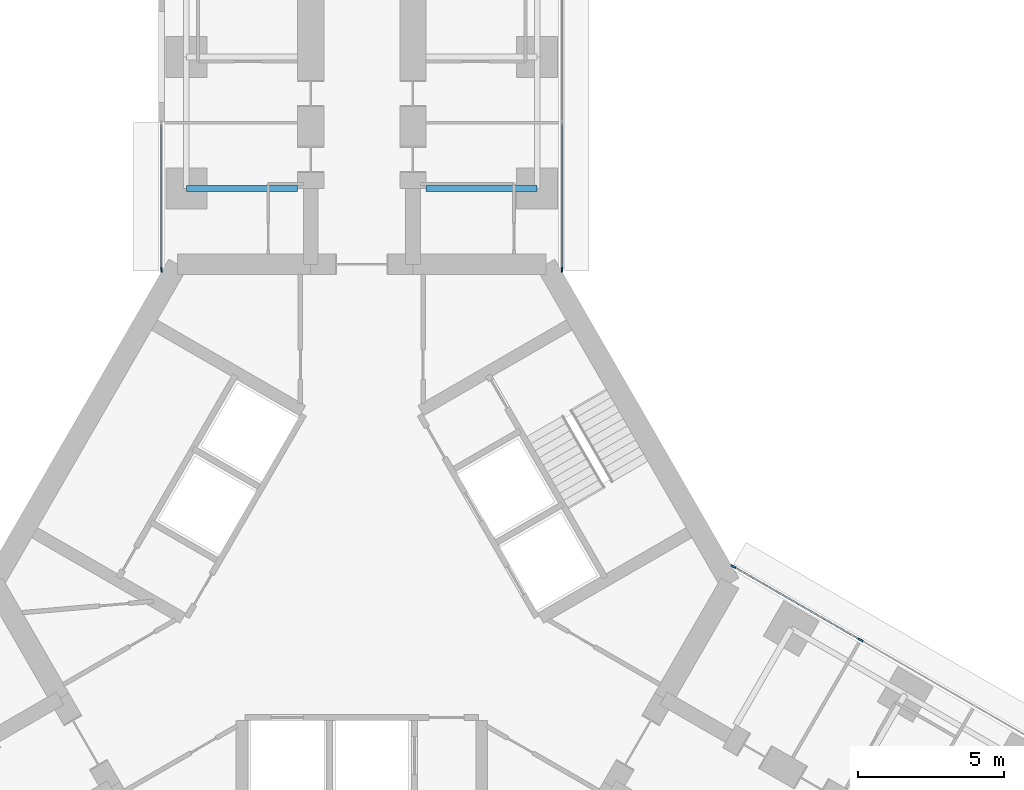
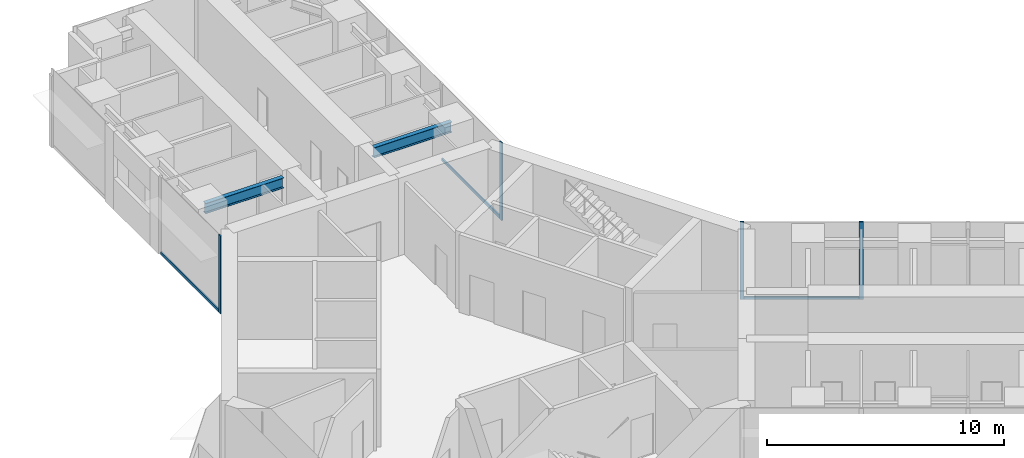
# One storey, part 11 of 25: 7 members, 2 beams, 3 elements without a shape of their own.
"""IFC4 building model written with IfcOpenShell, lengths in metres."""

from ifc_helpers import new_model, si_unit, direction, frame, origin, origin_2d, place, context, subcontext, project, spatial, rectangle, i_section, extrude, material, material_profile, profile_set, type_object, element, aggregate, save


model = new_model("IFC4")

# Units and contexts
model_context = context("Model", 3, precision=1e-05, world=origin(), true_north=direction((0.0, 1.0)))
body_context = subcontext(model_context, "Body", "Model", "MODEL_VIEW")
ifc_project = project(units=[si_unit("LENGTHUNIT", "METRE"), si_unit("AREAUNIT", "SQUARE_METRE"), si_unit("VOLUMEUNIT", "CUBIC_METRE"), si_unit("PLANEANGLEUNIT", "RADIAN"), si_unit("MASSUNIT", "GRAM", prefix="KILO")], contexts=[model_context])

# Site, building, storey
site_placement = place(None, origin())
site = spatial("IfcSite", under=ifc_project, at=site_placement, CompositionType="ELEMENT")
building_placement = place(site_placement, origin())
building = spatial("IfcBuilding", under=site, at=building_placement, Name="Upepo Twin Towers", CompositionType="ELEMENT")
storey_placement = place(building_placement, frame((0.0, 0.0, 88.5)))
storey = spatial("IfcBuildingStorey", under=building, at=storey_placement, Name="L21", CompositionType="ELEMENT", Elevation=88.5)

# Beams
ifc_material_1 = material(Name="Steel S355", Category="steel")
ifc_material_profile_1 = material_profile(ifc_material_1, i_section(OverallWidth=0.209228515625, OverallDepth=0.533203125, WebThickness=0.010009765625, FlangeThickness=0.015625, FilletRadius=0.0126953125, at=origin_2d()), Name="UB 533x210x92")
ifc_profile_set_1 = profile_set([ifc_material_profile_1], Name="Steel S355")
beam_type = type_object("IfcBeamType", Name="Beam UB 533x210x92", PredefinedType="BEAM", material=ifc_profile_set_1)
for number, where, z_axis, x_axis, name in (
    (1, (52.5, -4.5, 3.433349609375), (1.0, 0.0, 0.0), (0.0, 1.0, 0.0), "T2 girder AL at 13.5"),
    (2, (64.5, -4.5, 3.433349609375), (-1.0, 0.0, 0.0), (0.0, -1.0, 0.0), "T2 girder AR at 13.5"),
):
    element("IfcBeam", number, at=place(storey_placement, frame(where, z_axis=z_axis, x_axis=x_axis)), inside=storey, type_object=beam_type, Name=name, PredefinedType="BEAM", context=body_context, shape_type="SweptSolid", body=[
        extrude(i_section(OverallWidth=0.209228515625, OverallDepth=0.533203125, WebThickness=0.010009765625, FlangeThickness=0.015625, FilletRadius=0.0126953125, at=origin_2d()), origin(), (0.0, 0.0, 1.0), 3.800048828125),
    ])

# Curtain wall, member
ifc_material_2 = material(Name="Aluminium and fritted glass", Category="aluminium")
curtain_wall_type = type_object("IfcCurtainWallType", Name="Tower curtain wall TW1, fritted glass", PredefinedType="NOTDEFINED", material=ifc_material_2)
curtain_wall_1_placement = place(storey_placement, origin())
curtain_wall_1 = element("IfcCurtainWall", 3, at=curtain_wall_1_placement, inside=storey, type_object=curtain_wall_type, Name="T2 L21 wing A flank L curtain wall", PredefinedType="NOTDEFINED")
ifc_material_3 = material(Name="Aluminium mullion", Category="aluminium")
ifc_material_profile_2 = material_profile(ifc_material_3, rectangle(XDim=0.06494140625, YDim=0.179931640625, at=origin_2d()), Name="MULLION 65x180")
ifc_profile_set_2 = profile_set([ifc_material_profile_2], Name="Aluminium mullion")
member_type_1 = type_object("IfcMemberType", Name="Mullion 65x180 TW1", PredefinedType="MULLION", material=ifc_profile_set_2)
member_1_placement = place(storey_placement, frame((51.64990234375, -7.2802734375, 0.0), z_axis=(0.0, 0.0, 1.0), x_axis=(-1.0, 0.0, 0.0)))
member_1 = element("IfcMember", 4, at=member_1_placement, type_object=member_type_1, Name="T2 L21 wing A flank L curtain wall mullion 1", PredefinedType="MULLION", context=body_context, shape_type="SweptSolid", body=[
    extrude(rectangle(XDim=0.06494140625, YDim=0.179931640625, at=origin_2d()), origin(), (0.0, 0.0, 1.0), 4.0),
])

curtain_wall_2_placement = place(storey_placement, origin())
curtain_wall_2 = element("IfcCurtainWall", 5, at=curtain_wall_2_placement, inside=storey, type_object=curtain_wall_type, Name="T2 L21 wing A flank R curtain wall", PredefinedType="NOTDEFINED")
member_2_placement = place(storey_placement, frame((65.35009765625, -7.2802734375, 0.0), z_axis=(0.0, 0.0, 1.0), x_axis=(1.0, 0.0, 0.0)))
member_2 = element("IfcMember", 6, at=member_2_placement, type_object=member_type_1, Name="T2 L21 wing A flank R curtain wall mullion 4", PredefinedType="MULLION", context=body_context, shape_type="SweptSolid", body=[
    extrude(rectangle(XDim=0.06494140625, YDim=0.179931640625, at=origin_2d()), origin(), (0.0, 0.0, 1.0), 4.0),
])

# Curtain wall, members
curtain_wall_3_placement = place(storey_placement, origin())
curtain_wall_3 = element("IfcCurtainWall", 7, at=curtain_wall_3_placement, inside=storey, type_object=curtain_wall_type, Name="T2 L21 wing C flank L curtain wall", PredefinedType="NOTDEFINED")
member_3_placement = place(storey_placement, frame((71.20849609375, -17.427490234375, 0.0), z_axis=(0.0, 0.0, 1.0), x_axis=(0.500000024426, 0.866025389682, 0.0)))
member_3 = element("IfcMember", 8, at=member_3_placement, type_object=member_type_1, Name="T2 L21 wing C flank L curtain wall mullion 1", PredefinedType="MULLION", context=body_context, shape_type="SweptSolid", body=[
    extrude(rectangle(XDim=0.06494140625, YDim=0.179931640625, at=origin_2d()), origin(), (0.0, 0.0, 1.0), 4.0),
])
member_4_placement = place(storey_placement, frame((75.56494140625, -19.942626953125, 0.0), z_axis=(0.0, 0.0, 1.0), x_axis=(0.500000024426, 0.866025389682, 0.0)))
member_4 = element("IfcMember", 9, at=member_4_placement, type_object=member_type_1, Name="T2 L21 wing C flank L curtain wall mullion 2", PredefinedType="MULLION", context=body_context, shape_type="SweptSolid", body=[
    extrude(rectangle(XDim=0.06494140625, YDim=0.179931640625, at=origin_2d()), origin(), (0.0, 0.0, 1.0), 4.0),
])

# Member
ifc_material_4 = material(Name="Aluminium transom", Category="aluminium")
ifc_material_profile_3 = material_profile(ifc_material_4, rectangle(XDim=0.06494140625, YDim=0.14990234375, at=origin_2d()), Name="TRANSOM 65x150")
ifc_profile_set_3 = profile_set([ifc_material_profile_3], Name="Aluminium transom")
member_type_2 = type_object("IfcMemberType", Name="Transom 65x150 TW1", PredefinedType="USERDEFINED", material=ifc_profile_set_3)
member_5_placement = place(storey_placement, frame((51.64990234375, -7.247802734375, 0.074951171875), z_axis=(0.0, 1.0, 0.0), x_axis=(-1.0, 0.0, 0.0)))
member_5 = element("IfcMember", 10, at=member_5_placement, type_object=member_type_2, Name="T2 L21 wing A flank L curtain wall transom 1", ObjectType="TRANSOM", PredefinedType="USERDEFINED", context=body_context, shape_type="SweptSolid", body=[
    extrude(rectangle(XDim=0.06494140625, YDim=0.14990234375, at=origin_2d()), origin(), (0.0, 0.0, 1.0), 4.932861328125),
])

aggregate(curtain_wall_1, [member_1, member_5])

member_6_placement = place(storey_placement, frame((65.35009765625, -2.282470703125, 0.074951171875), z_axis=(0.0, -1.0, 0.0), x_axis=(1.0, 0.0, 0.0)))
member_6 = element("IfcMember", 11, at=member_6_placement, type_object=member_type_2, Name="T2 L21 wing A flank R curtain wall transom 3", ObjectType="TRANSOM", PredefinedType="USERDEFINED", context=body_context, shape_type="SweptSolid", body=[
    extrude(rectangle(XDim=0.06494140625, YDim=0.14990234375, at=origin_2d()), origin(), (0.0, 0.0, 1.0), 4.96533203125),
])

aggregate(curtain_wall_2, [member_2, member_6])

member_7_placement = place(storey_placement, frame((71.236572265625, -17.44384765625, 0.074951171875), z_axis=(0.866034933967, -0.499983492876, 0.0), x_axis=(0.499983492876, 0.866034933967, 0.0)))
member_7 = element("IfcMember", 12, at=member_7_placement, type_object=member_type_2, Name="T2 L21 wing C flank L curtain wall transom 1", ObjectType="TRANSOM", PredefinedType="USERDEFINED", context=body_context, shape_type="SweptSolid", body=[
    extrude(rectangle(XDim=0.06494140625, YDim=0.14990234375, at=origin_2d()), origin(), (0.0, 0.0, 1.0), 4.965576171875),
])

aggregate(curtain_wall_3, [member_3, member_4, member_7])

save(model, "model.ifc")
